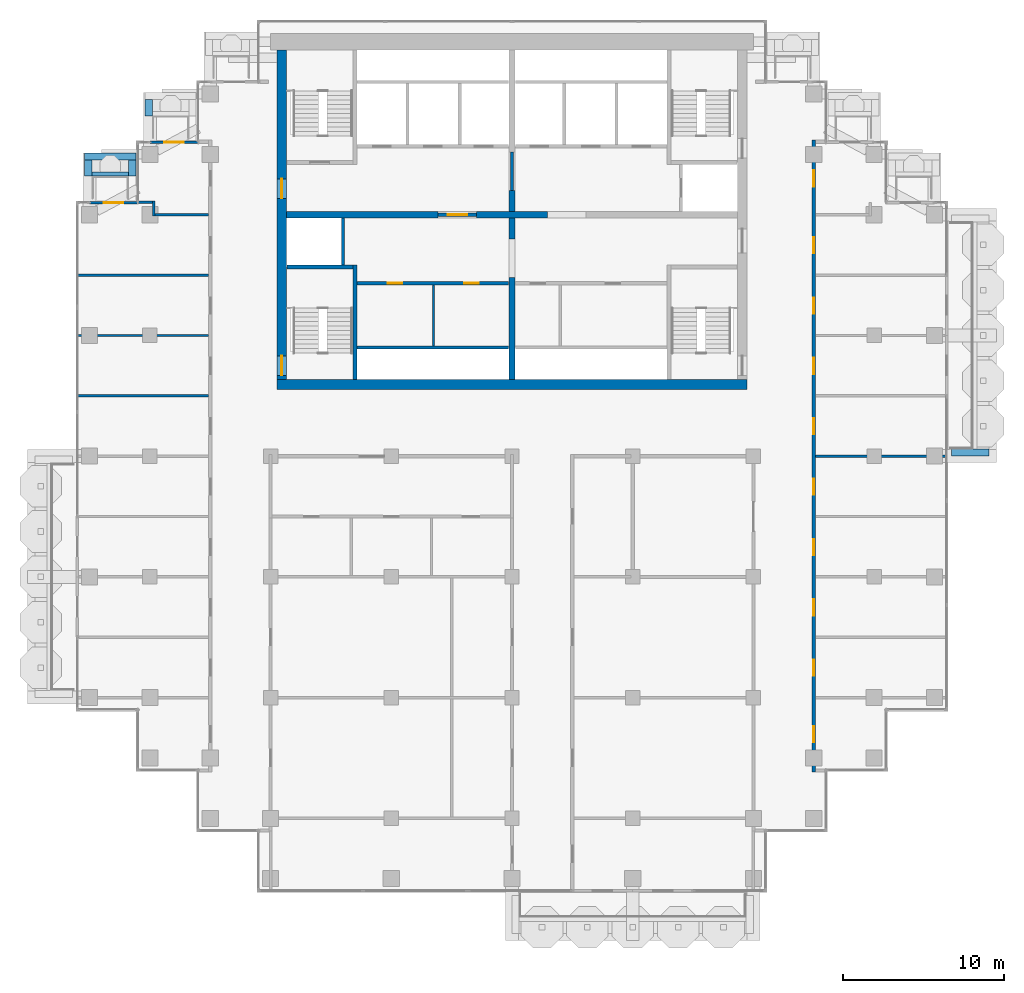
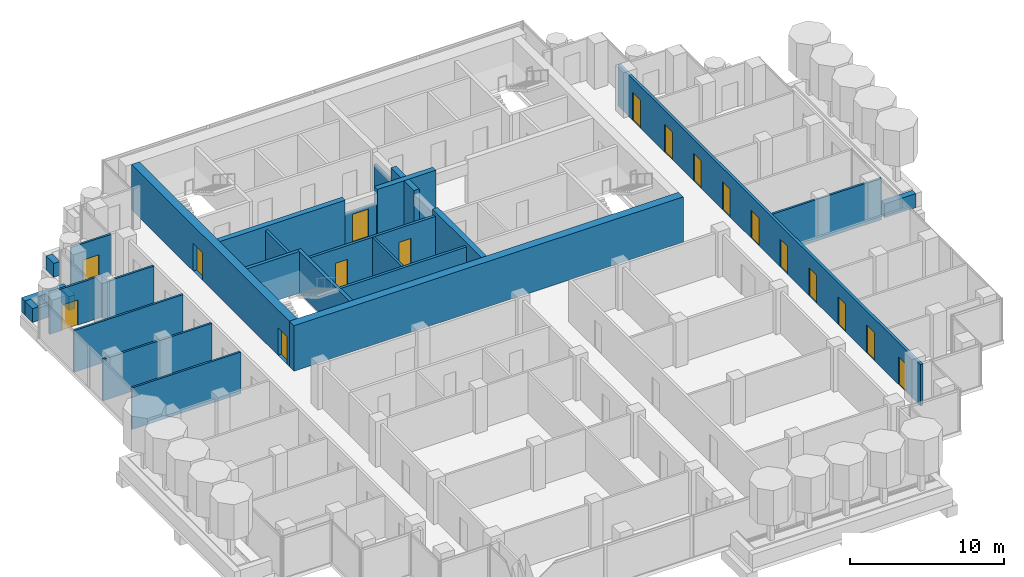
# One storey, part 13 of 19: 31 walls, 17 doors, 17 openings.
"""IFC4 building model written with IfcOpenShell, lengths in metres."""

import ifcopenshell
import ifcopenshell.guid

model = None  # the IFC model being written
_history = None  # IfcOwnerHistory: only IFC2X3 demands one
_inside = {}  # id of a spatial element -> (the spatial element, [elements in it])
_under = {}  # id of a project, library or spatial element -> (it, [spatial elements below it])
_declared = {}  # id of a project -> (the project, [libraries it declares])
_typed = {}  # id of a type object -> (the type object, [elements of that type])
_made_of = {}  # id of a material, layer set ... -> (it, [elements and type objects made of it])


def new_model(schema):
    """Start an empty IFC model of exactly this schema.

    Asked for "IFC4X3", IfcOpenShell would pick the latest addendum, in which some entities
    have other attributes; the version numbers below select the first issue.
    IFC2X3 requires an IfcOwnerHistory on every rooted entity: one is made here for all.
    """
    global model, _history
    if schema == "IFC4X3":
        model = ifcopenshell.file(schema_version=(4, 3, 0, 0))
    else:
        model = ifcopenshell.file(schema=schema)
    _inside.clear()
    _under.clear()
    _declared.clear()
    _typed.clear()
    _made_of.clear()
    _history = None
    if model.schema == "IFC2X3":
        org = make("IfcOrganization", Name="unknown")
        user = make(
            "IfcPersonAndOrganization",
            ThePerson=make("IfcPerson", FamilyName="unknown"),
            TheOrganization=org,
        )
        app = make(
            "IfcApplication",
            ApplicationDeveloper=org,
            Version="unknown",
            ApplicationFullName="unknown",
            ApplicationIdentifier="unknown",
        )
        _history = make(
            "IfcOwnerHistory",
            OwningUser=user,
            OwningApplication=app,
            ChangeAction="ADDED",
            CreationDate=0,
        )
    return model


def make(cls, **values):
    """One entity of the class cls with the attributes given. An attribute that is None is left unset."""
    return model.create_entity(
        cls, **{name: value for name, value in values.items() if value is not None}
    )


def rooted(cls, **values):
    """An entity with a GlobalId (a new one), such as an element, a storey or a relation."""
    return make(cls, GlobalId=ifcopenshell.guid.new(), OwnerHistory=_history, **values)


def si_unit(unit_type, name, prefix=None):
    """IfcSIUnit, for example si_unit("LENGTHUNIT", "METRE", prefix="MILLI")."""
    return make("IfcSIUnit", UnitType=unit_type, Prefix=prefix, Name=name)


def assignment(units):
    """IfcUnitAssignment: the units of a project."""
    return None if units is None else make("IfcUnitAssignment", Units=units)


def point(xyz):
    """IfcCartesianPoint."""
    return None if xyz is None else make("IfcCartesianPoint", Coordinates=xyz)


def direction(xyz):
    """IfcDirection."""
    return None if xyz is None else make("IfcDirection", DirectionRatios=xyz)


def frame(location, z_axis=None, x_axis=None):
    """IfcAxis2Placement3D, a coordinate frame: its origin and axes. An axis left out is left unset."""
    return make(
        "IfcAxis2Placement3D",
        Location=point(location),
        Axis=direction(z_axis),
        RefDirection=direction(x_axis),
    )


def frame_2d(location, x_axis=None):
    """IfcAxis2Placement2D, a coordinate frame in the plane: its origin and x axis."""
    return make(
        "IfcAxis2Placement2D", Location=point(location), RefDirection=direction(x_axis)
    )


def origin():
    """The frame at (0, 0, 0) with its axes left unset."""
    return frame((0.0, 0.0, 0.0))


def place(relative_to, where):
    """IfcLocalPlacement: puts the frame where relative to a parent placement (None: the world)."""
    return make(
        "IfcLocalPlacement", PlacementRelTo=relative_to, RelativePlacement=where
    )


def context(
    kind, dimensions, precision=None, world=None, true_north=None, identifier=None
):
    """IfcGeometricRepresentationContext, for example the 3D "Model" context."""
    return make(
        "IfcGeometricRepresentationContext",
        ContextIdentifier=identifier,
        ContextType=kind,
        CoordinateSpaceDimension=dimensions,
        Precision=precision,
        WorldCoordinateSystem=world,
        TrueNorth=true_north,
    )


def subcontext(parent, identifier, kind, view, scale=None):
    """IfcGeometricRepresentationSubContext, for example "Body" below "Model"."""
    return make(
        "IfcGeometricRepresentationSubContext",
        ContextIdentifier=identifier,
        ContextType=kind,
        ParentContext=parent,
        TargetScale=scale,
        TargetView=view,
    )


def project(units=None, contexts=None):
    """IfcProject with its units and contexts."""
    return rooted(
        "IfcProject",
        Name="project",
        RepresentationContexts=contexts,
        UnitsInContext=assignment(units),
    )


def spatial(cls, under=None, at=None, **own):
    """A site, building, storey or space (cls), placed at a placement, below another one or the project."""
    s = rooted(cls, ObjectPlacement=at, **own)
    if under is not None:
        _under.setdefault(under.id(), (under, []))[1].append(s)
    return s


def profile(cls, at=None, kind="AREA", **sizes):
    """A parametric profile (cls). Its sizes go by their IFC names, for example OverallWidth=200.0."""
    return make(cls, ProfileType=kind, Position=at, **sizes)


def rectangle(**sizes):
    """IfcRectangleProfileDef."""
    return profile("IfcRectangleProfileDef", **sizes)


def extrude(swept, where, along, depth):
    """IfcExtrudedAreaSolid: the profile swept, set in the frame where, extruded along a direction by depth."""
    return make(
        "IfcExtrudedAreaSolid",
        SweptArea=swept,
        Position=where,
        ExtrudedDirection=direction(along),
        Depth=depth,
    )


def shape(context_of_items, identifier, shape_type, items):
    """IfcShapeRepresentation: the items that make up one representation, for example the "Body"."""
    return make(
        "IfcShapeRepresentation",
        ContextOfItems=context_of_items,
        RepresentationIdentifier=identifier,
        RepresentationType=shape_type,
        Items=items,
    )


def material(Name=None, Category=None):
    """IfcMaterial."""
    return make("IfcMaterial", Name=Name, Category=Category)


def layer(
    of_material, thickness, ventilated=None, Name=None, Category=None, Priority=None
):
    """IfcMaterialLayer: one layer of a wall or slab, of a material (None: an air gap)."""
    return make(
        "IfcMaterialLayer",
        Material=of_material,
        LayerThickness=thickness,
        IsVentilated=ventilated,
        Name=Name,
        Category=Category,
        Priority=Priority,
    )


def layer_set(layers, Name=None):
    """IfcMaterialLayerSet."""
    return make("IfcMaterialLayerSet", MaterialLayers=layers, LayerSetName=Name)


def made_of(thing, what):
    """Note that an element or type object is made of a material, layer set ...; save() writes the relation."""
    if what is not None:
        _made_of.setdefault(what.id(), (what, []))[1].append(thing)
    return thing


def type_object(cls, material=None, **own):
    """A type object (cls), such as IfcWallType, which elements share."""
    return made_of(rooted(cls, **own), material)


def element(
    cls,
    number,
    at=None,
    inside=None,
    cuts=None,
    type_object=None,
    material=None,
    context=None,
    identifier="Body",
    shape_type=None,
    held_by="IfcProductDefinitionShape",
    body=None,
    shapes=None,
    **own,
):
    """One element of the class cls, such as IfcWall. Its Tag is "e" and its number.

    at: its placement. inside: the storey or other place that contains it. cuts: it is an
    opening in that element (IfcRelVoidsElement). A single representation is given by context,
    identifier, shape_type and body (its items); several are given by shapes. held_by: the class
    of the entity that holds the representations. save() writes the other relations.
    """
    e = rooted(cls, Tag="e%d" % number, ObjectPlacement=at, **own)
    if body is not None:
        shapes = [shape(context, identifier, shape_type, body)]
    if shapes is not None:
        e.Representation = make(held_by, Representations=shapes)
    if inside is not None:
        _inside.setdefault(inside.id(), (inside, []))[1].append(e)
    if cuts is not None:
        rooted(
            "IfcRelVoidsElement", RelatingBuildingElement=cuts, RelatedOpeningElement=e
        )
    if type_object is not None:
        _typed.setdefault(type_object.id(), (type_object, []))[1].append(e)
    return made_of(e, material)


def fill(opening, filler):
    """IfcRelFillsElement: the door or window that sits in an opening."""
    return rooted(
        "IfcRelFillsElement",
        RelatingOpeningElement=opening,
        RelatedBuildingElement=filler,
    )


def aggregate(whole, parts):
    """IfcRelAggregates: a whole, such as a stair, and the parts it consists of."""
    return rooted("IfcRelAggregates", RelatingObject=whole, RelatedObjects=parts)


def save(model, path):
    """Write the relations noted so far, then the file.

    IfcRelAggregates (storeys below a building ...), IfcRelContainedInSpatialStructure (elements
    in a storey), IfcRelDefinesByType, IfcRelAssociatesMaterial and IfcRelDeclares: one each for
    every whole, place, type object, material and project.
    """
    for whole, parts in _under.values():
        aggregate(whole, parts)
    for where, things in _inside.values():
        rooted(
            "IfcRelContainedInSpatialStructure",
            RelatedElements=things,
            RelatingStructure=where,
        )
    for kind, things in _typed.values():
        rooted("IfcRelDefinesByType", RelatedObjects=things, RelatingType=kind)
    for what, things in _made_of.values():
        rooted("IfcRelAssociatesMaterial", RelatedObjects=things, RelatingMaterial=what)
    for by, libraries in _declared.values():
        rooted("IfcRelDeclares", RelatingContext=by, RelatedDefinitions=libraries)
    model.write(path)


model = new_model("IFC4")

# Units and contexts
model_context = context("Model", 3, precision=1e-05, world=origin(), true_north=direction((0.0, 1.0)))
body_context = subcontext(model_context, "Body", "Model", "MODEL_VIEW")
ifc_project = project(units=[si_unit("LENGTHUNIT", "METRE"), si_unit("AREAUNIT", "SQUARE_METRE"), si_unit("VOLUMEUNIT", "CUBIC_METRE"), si_unit("PLANEANGLEUNIT", "RADIAN"), si_unit("MASSUNIT", "GRAM", prefix="KILO")], contexts=[model_context])

# Site, building, storey
site_placement = place(None, origin())
site = spatial("IfcSite", under=ifc_project, at=site_placement, CompositionType="ELEMENT")
building_placement = place(site_placement, origin())
building = spatial("IfcBuilding", under=site, at=building_placement, Name="Pilkhan Gate Tower", CompositionType="ELEMENT")
storey_placement = place(building_placement, frame((0.0, 0.0, 224.699951171875)))
storey = spatial("IfcBuildingStorey", under=building, at=storey_placement, Name="L58", CompositionType="ELEMENT", Elevation=224.699951171875)

# Walls
ifc_material_1 = material(Name="Concrete C40/50", Category="concrete")
ifc_layer_1 = layer(ifc_material_1, 0.25)
ifc_layer_set_1 = layer_set([ifc_layer_1], Name="Balcony planter BP250")
wall_type_1 = type_object("IfcWallType", Name="Balcony planter BP250", PredefinedType="USERDEFINED", material=ifc_layer_set_1)
wall_1_placement = place(storey_placement, frame((48.89990234375, 85.02490234375, 0.0), z_axis=(0.0, 0.0, 1.0), x_axis=(1.0, 0.0, 0.0)))
element("IfcWall", 1, at=wall_1_placement, inside=storey, type_object=wall_type_1, Name="Balcony planter L58 N", ObjectType="BALCONY PLANTER", PredefinedType="USERDEFINED", context=body_context, shape_type="SweptSolid", body=[
    extrude(rectangle(XDim=2.280029296875, YDim=0.25, at=frame_2d((1.14013671875, 0.0))), origin(), (0.0, 0.0, 1.0), 1.0),
])
ifc_material_2 = material(Name="Board-marked Concrete C40/50", Category="concrete")
ifc_layer_2 = layer(ifc_material_2, 0.449951171875)
ifc_layer_set_2 = layer_set([ifc_layer_2], Name="Balcony planter lip BL450")
wall_type_2 = type_object("IfcWallType", Name="Balcony planter lip BL450", PredefinedType="USERDEFINED", material=ifc_layer_set_2)
wall_2_placement = place(storey_placement, frame((102.300048828125, 67.72509765625, 0.0), z_axis=(0.0, 0.0, 1.0), x_axis=(1.0, 0.0, 0.0)))
element("IfcWall", 2, at=wall_2_placement, inside=storey, type_object=wall_type_2, Name="Balcony planter L58 E", ObjectType="BALCONY PLANTER", PredefinedType="USERDEFINED", context=body_context, shape_type="SweptSolid", body=[
    extrude(rectangle(XDim=2.349853515625, YDim=0.449951171875, at=frame_2d((1.1748046875, 0.0))), origin(), (0.0, 0.0, 1.0), 1.10009765625),
])
wall_3_placement = place(storey_placement, frame((52.425048828125, 88.64990234375, 0.0), z_axis=(0.0, 0.0, 1.0), x_axis=(0.0, 1.0, 0.0)))
element("IfcWall", 3, at=wall_3_placement, inside=storey, type_object=wall_type_2, Name="Balcony planter L58 N", ObjectType="BALCONY PLANTER", PredefinedType="USERDEFINED", context=body_context, shape_type="SweptSolid", body=[
    extrude(rectangle(XDim=1.0, YDim=0.449951171875, at=frame_2d((0.5, 0.0))), origin(), (0.0, 0.0, 1.0), 1.10009765625),
])
wall_4_placement = place(storey_placement, frame((48.449951171875, 86.125, 0.0), z_axis=(0.0, 0.0, 1.0), x_axis=(1.0, 0.0, 0.0)))
element("IfcWall", 4, at=wall_4_placement, inside=storey, type_object=wall_type_2, Name="Balcony planter L58 N", ObjectType="BALCONY PLANTER", PredefinedType="USERDEFINED", context=body_context, shape_type="SweptSolid", body=[
    extrude(rectangle(XDim=3.179931640625, YDim=0.449951171875, at=frame_2d((1.58984375, 0.0))), origin(), (0.0, 0.0, 1.0), 1.10009765625),
])
for number, where, z_axis, x_axis, name in (
    (5, (48.675048828125, 84.89990234375, 0.0), (0.0, 0.0, 1.0), (0.0, 1.0, 0.0), "Balcony planter L58 N"),
    (6, (51.405029296875, 84.89990234375, 0.0), (0.0, 0.0, 1.0), (0.0, 1.0, 0.0), "Balcony planter L58 N"),
):
    element("IfcWall", number, at=place(storey_placement, frame(where, z_axis=z_axis, x_axis=x_axis)), inside=storey, type_object=wall_type_2, Name=name, ObjectType="BALCONY PLANTER", PredefinedType="USERDEFINED", context=body_context, shape_type="SweptSolid", body=[
        extrude(rectangle(XDim=1.0, YDim=0.449951171875, at=frame_2d((0.5, 0.0))), origin(), (0.0, 0.0, 1.0), 1.10009765625),
    ])
ifc_material_3 = material(Name="Concrete C50/60", Category="concrete")
ifc_layer_3 = layer(ifc_material_3, 0.60009765625)
ifc_layer_set_3 = layer_set([ifc_layer_3], Name="Core wall CW600 C50/60")
wall_type_3 = type_object("IfcWallType", Name="Core wall CW600 C50/60", PredefinedType="SHEAR", material=ifc_layer_set_3)
wall_5_placement = place(storey_placement, frame((60.39990234375, 71.949951171875, 0.0), z_axis=(0.0, 0.0, 1.0), x_axis=(1.0, 0.0, 0.0)))
element("IfcWall", 7, at=wall_5_placement, inside=storey, type_object=wall_type_3, Name="Core wall S L58", PredefinedType="SHEAR", context=body_context, shape_type="SweptSolid", body=[
    extrude(rectangle(XDim=29.2001953125, YDim=0.60009765625, at=frame_2d((14.60009765625, 0.0))), origin(), (0.0, 0.0, 1.0), 3.60009765625),
])

# Wall, openings, doors
wall_6_placement = place(storey_placement, frame((60.699951171875, 92.75, 0.0), z_axis=(0.0, 0.0, 1.0), x_axis=(0.0, -1.0, 0.0)))
wall_6 = element("IfcWall", 8, at=wall_6_placement, inside=storey, type_object=wall_type_3, Name="Core wall W L58", PredefinedType="SHEAR", context=body_context, shape_type="SweptSolid", body=[
    extrude(rectangle(XDim=20.5, YDim=0.60009765625, at=frame_2d((10.25, 0.0))), origin(), (0.0, 0.0, 1.0), 3.60009765625),
])
opening_1_placement = place(wall_6_placement, frame((19.02490234375, 0.0, 0.0)))
opening_1 = element("IfcOpeningElement", 9, at=opening_1_placement, cuts=wall_6, Name="Opening L58-04", PredefinedType="OPENING", context=body_context, shape_type="SweptSolid", body=[
    extrude(rectangle(XDim=1.199951171875, YDim=2.199951171875, at=frame_2d((0.60009765625, 1.10009765625))), frame((0.0, 0.31005859375, 0.0), z_axis=(0.0, -1.0, 0.0), x_axis=(1.0, 0.0, 0.0)), (0.0, 0.0, 1.0), 0.6201171875),
])
opening_2_placement = place(wall_6_placement, frame((8.02490234375, 0.0, 0.0)))
opening_2 = element("IfcOpeningElement", 10, at=opening_2_placement, cuts=wall_6, Name="Opening L58-07", PredefinedType="OPENING", context=body_context, shape_type="SweptSolid", body=[
    extrude(rectangle(XDim=1.199951171875, YDim=2.199951171875, at=frame_2d((0.60009765625, 1.10009765625))), frame((0.0, 0.31005859375, 0.0), z_axis=(0.0, -1.0, 0.0), x_axis=(1.0, 0.0, 0.0)), (0.0, 0.0, 1.0), 0.6201171875),
])
ifc_material_4 = material(Name="Steel door, 120 minute fire resisting, self-closing", Category="steel")
door_type_1 = type_object("IfcDoorType", Name="Firefighting lobby door D10 1200x2200", OperationType="SINGLE_SWING_LEFT", PredefinedType="DOOR", material=ifc_material_4)
door_1_placement = place(opening_2_placement, origin())
door_1 = element("IfcDoor", 11, at=door_1_placement, inside=storey, type_object=door_type_1, Name="Core door", OperationType="SINGLE_SWING_LEFT", OverallHeight=2.199951171875, OverallWidth=1.199951171875, PredefinedType="DOOR", context=body_context, shape_type="SweptSolid", body=[
    extrude(rectangle(XDim=1.199951171875, YDim=2.199951171875, at=frame_2d((0.60009765625, 1.10009765625))), frame((0.0, 0.02490234375, 0.0), z_axis=(0.0, -1.0, 0.0), x_axis=(1.0, 0.0, 0.0)), (0.0, 0.0, 1.0), 0.050048828125),
])
fill(opening_2, door_1)
ifc_material_5 = material(Name="Steel door, 120 minute fire resisting, panic bar", Category="steel")
door_type_2 = type_object("IfcDoorType", Name="Stair door D11 1200x2200", OperationType="SINGLE_SWING_LEFT", PredefinedType="DOOR", material=ifc_material_5)
door_2_placement = place(opening_1_placement, origin())
door_2 = element("IfcDoor", 12, at=door_2_placement, inside=storey, type_object=door_type_2, Name="Stair ST2 door", OperationType="SINGLE_SWING_LEFT", OverallHeight=2.199951171875, OverallWidth=1.199951171875, PredefinedType="DOOR", context=body_context, shape_type="SweptSolid", body=[
    extrude(rectangle(XDim=1.199951171875, YDim=2.199951171875, at=frame_2d((0.60009765625, 1.10009765625))), frame((0.0, 0.02490234375, 0.0), z_axis=(0.0, -1.0, 0.0), x_axis=(1.0, 0.0, 0.0)), (0.0, 0.0, 1.0), 0.050048828125),
])
fill(opening_1, door_2)

ifc_material_6 = material(Name="Dense blockwork", Category="masonry")
ifc_layer_4 = layer(ifc_material_6, 0.199951171875)
ifc_layer_set_4 = layer_set([ifc_layer_4], Name="Corridor wall FW200")
wall_type_4 = type_object("IfcWallType", Name="Corridor wall FW200", PredefinedType="PARTITIONING", material=ifc_layer_set_4)
wall_7_placement = place(storey_placement, frame((93.75, 47.8701171875, 0.0), z_axis=(0.0, 0.0, 1.0), x_axis=(0.0, 1.0, 0.0)))
wall_7 = element("IfcWall", 13, at=wall_7_placement, inside=storey, type_object=wall_type_4, Name="Partition L58", PredefinedType="PARTITIONING", context=body_context, shape_type="SweptSolid", body=[
    extrude(rectangle(XDim=39.259765625, YDim=0.199951171875, at=frame_2d((19.6298828125, 0.0))), origin(), (0.0, 0.0, 1.0), 3.300048828125),
])
opening_3_placement = place(wall_7_placement, frame((1.85009765625, 0.0, 0.0)))
opening_3 = element("IfcOpeningElement", 14, at=opening_3_placement, cuts=wall_7, Name="Opening L58-33", PredefinedType="OPENING", context=body_context, shape_type="SweptSolid", body=[
    extrude(rectangle(XDim=1.0, YDim=2.199951171875, at=frame_2d((0.5, 1.10009765625))), frame((0.0, 0.10986328125, 0.0), z_axis=(0.0, -1.0, 0.0), x_axis=(1.0, 0.0, 0.0)), (0.0, 0.0, 1.0), 0.219970703125),
])
opening_4_placement = place(wall_7_placement, frame((5.97998046875, 0.0, 0.0)))
opening_4 = element("IfcOpeningElement", 15, at=opening_4_placement, cuts=wall_7, Name="Opening L58-34", PredefinedType="OPENING", context=body_context, shape_type="SweptSolid", body=[
    extrude(rectangle(XDim=1.0, YDim=2.199951171875, at=frame_2d((0.5, 1.10009765625))), frame((0.0, 0.10986328125, 0.0), z_axis=(0.0, -1.0, 0.0), x_axis=(1.0, 0.0, 0.0)), (0.0, 0.0, 1.0), 0.219970703125),
])
opening_5_placement = place(wall_7_placement, frame((9.72998046875, 0.0, 0.0)))
opening_5 = element("IfcOpeningElement", 16, at=opening_5_placement, cuts=wall_7, Name="Opening L58-35", PredefinedType="OPENING", context=body_context, shape_type="SweptSolid", body=[
    extrude(rectangle(XDim=1.0, YDim=2.199951171875, at=frame_2d((0.5, 1.10009765625))), frame((0.0, 0.10986328125, 0.0), z_axis=(0.0, -1.0, 0.0), x_axis=(1.0, 0.0, 0.0)), (0.0, 0.0, 1.0), 0.219970703125),
])
opening_6_placement = place(wall_7_placement, frame((13.47998046875, 0.0, 0.0)))
opening_6 = element("IfcOpeningElement", 17, at=opening_6_placement, cuts=wall_7, Name="Opening L58-36", PredefinedType="OPENING", context=body_context, shape_type="SweptSolid", body=[
    extrude(rectangle(XDim=1.0, YDim=2.199951171875, at=frame_2d((0.5, 1.10009765625))), frame((0.0, 0.10986328125, 0.0), z_axis=(0.0, -1.0, 0.0), x_axis=(1.0, 0.0, 0.0)), (0.0, 0.0, 1.0), 0.219970703125),
])
opening_7_placement = place(wall_7_placement, frame((17.22998046875, 0.0, 0.0)))
opening_7 = element("IfcOpeningElement", 18, at=opening_7_placement, cuts=wall_7, Name="Opening L58-37", PredefinedType="OPENING", context=body_context, shape_type="SweptSolid", body=[
    extrude(rectangle(XDim=1.0, YDim=2.199951171875, at=frame_2d((0.5, 1.10009765625))), frame((0.0, 0.10986328125, 0.0), z_axis=(0.0, -1.0, 0.0), x_axis=(1.0, 0.0, 0.0)), (0.0, 0.0, 1.0), 0.219970703125),
])
opening_8_placement = place(wall_7_placement, frame((20.97998046875, 0.0, 0.0)))
opening_8 = element("IfcOpeningElement", 19, at=opening_8_placement, cuts=wall_7, Name="Opening L58-38", PredefinedType="OPENING", context=body_context, shape_type="SweptSolid", body=[
    extrude(rectangle(XDim=1.0, YDim=2.199951171875, at=frame_2d((0.5, 1.10009765625))), frame((0.0, 0.10986328125, 0.0), z_axis=(0.0, -1.0, 0.0), x_axis=(1.0, 0.0, 0.0)), (0.0, 0.0, 1.0), 0.219970703125),
])
opening_9_placement = place(wall_7_placement, frame((24.72998046875, 0.0, 0.0)))
opening_9 = element("IfcOpeningElement", 20, at=opening_9_placement, cuts=wall_7, Name="Opening L58-39", PredefinedType="OPENING", context=body_context, shape_type="SweptSolid", body=[
    extrude(rectangle(XDim=1.0, YDim=2.199951171875, at=frame_2d((0.5, 1.10009765625))), frame((0.0, 0.10986328125, 0.0), z_axis=(0.0, -1.0, 0.0), x_axis=(1.0, 0.0, 0.0)), (0.0, 0.0, 1.0), 0.219970703125),
])
opening_10_placement = place(wall_7_placement, frame((28.47998046875, 0.0, 0.0)))
opening_10 = element("IfcOpeningElement", 21, at=opening_10_placement, cuts=wall_7, Name="Opening L58-43", PredefinedType="OPENING", context=body_context, shape_type="SweptSolid", body=[
    extrude(rectangle(XDim=1.0, YDim=2.199951171875, at=frame_2d((0.5, 1.10009765625))), frame((0.0, 0.10986328125, 0.0), z_axis=(0.0, -1.0, 0.0), x_axis=(1.0, 0.0, 0.0)), (0.0, 0.0, 1.0), 0.219970703125),
])
opening_11_placement = place(wall_7_placement, frame((32.22998046875, 0.0, 0.0)))
opening_11 = element("IfcOpeningElement", 22, at=opening_11_placement, cuts=wall_7, Name="Opening L58-44", PredefinedType="OPENING", context=body_context, shape_type="SweptSolid", body=[
    extrude(rectangle(XDim=1.0, YDim=2.199951171875, at=frame_2d((0.5, 1.10009765625))), frame((0.0, 0.10986328125, 0.0), z_axis=(0.0, -1.0, 0.0), x_axis=(1.0, 0.0, 0.0)), (0.0, 0.0, 1.0), 0.219970703125),
])
opening_12_placement = place(wall_7_placement, frame((36.3798828125, 0.0, 0.0)))
opening_12 = element("IfcOpeningElement", 23, at=opening_12_placement, cuts=wall_7, Name="Opening L58-45", PredefinedType="OPENING", context=body_context, shape_type="SweptSolid", body=[
    extrude(rectangle(XDim=1.0, YDim=2.199951171875, at=frame_2d((0.5, 1.10009765625))), frame((0.0, 0.10986328125, 0.0), z_axis=(0.0, -1.0, 0.0), x_axis=(1.0, 0.0, 0.0)), (0.0, 0.0, 1.0), 0.219970703125),
])
ifc_material_7 = material(Name="Timber flush door, 30 minute fire resisting", Category="wood")
door_type_3 = type_object("IfcDoorType", Name="Room door D03 1000x2200", OperationType="SINGLE_SWING_LEFT", PredefinedType="DOOR", material=ifc_material_7)
door_3_placement = place(opening_3_placement, origin())
door_3 = element("IfcDoor", 24, at=door_3_placement, inside=storey, type_object=door_type_3, Name="Room door", OperationType="SINGLE_SWING_RIGHT", OverallHeight=2.199951171875, OverallWidth=1.0, PredefinedType="DOOR", context=body_context, shape_type="SweptSolid", body=[
    extrude(rectangle(XDim=1.0, YDim=2.199951171875, at=frame_2d((0.5, 1.10009765625))), frame((0.0, 0.02490234375, 0.0), z_axis=(0.0, -1.0, 0.0), x_axis=(1.0, 0.0, 0.0)), (0.0, 0.0, 1.0), 0.050048828125),
])
fill(opening_3, door_3)
door_4_placement = place(opening_4_placement, origin())
door_4 = element("IfcDoor", 25, at=door_4_placement, inside=storey, type_object=door_type_3, Name="Room door", OperationType="SINGLE_SWING_RIGHT", OverallHeight=2.199951171875, OverallWidth=1.0, PredefinedType="DOOR", context=body_context, shape_type="SweptSolid", body=[
    extrude(rectangle(XDim=1.0, YDim=2.199951171875, at=frame_2d((0.5, 1.10009765625))), frame((0.0, 0.02490234375, 0.0), z_axis=(0.0, -1.0, 0.0), x_axis=(1.0, 0.0, 0.0)), (0.0, 0.0, 1.0), 0.050048828125),
])
fill(opening_4, door_4)
door_5_placement = place(opening_5_placement, origin())
door_5 = element("IfcDoor", 26, at=door_5_placement, inside=storey, type_object=door_type_3, Name="Room door", OperationType="SINGLE_SWING_LEFT", OverallHeight=2.199951171875, OverallWidth=1.0, PredefinedType="DOOR", context=body_context, shape_type="SweptSolid", body=[
    extrude(rectangle(XDim=1.0, YDim=2.199951171875, at=frame_2d((0.5, 1.10009765625))), frame((0.0, 0.02490234375, 0.0), z_axis=(0.0, -1.0, 0.0), x_axis=(1.0, 0.0, 0.0)), (0.0, 0.0, 1.0), 0.050048828125),
])
fill(opening_5, door_5)
door_6_placement = place(opening_6_placement, origin())
door_6 = element("IfcDoor", 27, at=door_6_placement, inside=storey, type_object=door_type_3, Name="Room door", OperationType="SINGLE_SWING_LEFT", OverallHeight=2.199951171875, OverallWidth=1.0, PredefinedType="DOOR", context=body_context, shape_type="SweptSolid", body=[
    extrude(rectangle(XDim=1.0, YDim=2.199951171875, at=frame_2d((0.5, 1.10009765625))), frame((0.0, 0.02490234375, 0.0), z_axis=(0.0, -1.0, 0.0), x_axis=(1.0, 0.0, 0.0)), (0.0, 0.0, 1.0), 0.050048828125),
])
fill(opening_6, door_6)
door_7_placement = place(opening_7_placement, origin())
door_7 = element("IfcDoor", 28, at=door_7_placement, inside=storey, type_object=door_type_3, Name="Room door", OperationType="SINGLE_SWING_RIGHT", OverallHeight=2.199951171875, OverallWidth=1.0, PredefinedType="DOOR", context=body_context, shape_type="SweptSolid", body=[
    extrude(rectangle(XDim=1.0, YDim=2.199951171875, at=frame_2d((0.5, 1.10009765625))), frame((0.0, 0.02490234375, 0.0), z_axis=(0.0, -1.0, 0.0), x_axis=(1.0, 0.0, 0.0)), (0.0, 0.0, 1.0), 0.050048828125),
])
fill(opening_7, door_7)
door_8_placement = place(opening_8_placement, origin())
door_8 = element("IfcDoor", 29, at=door_8_placement, inside=storey, type_object=door_type_3, Name="Room door", OperationType="SINGLE_SWING_LEFT", OverallHeight=2.199951171875, OverallWidth=1.0, PredefinedType="DOOR", context=body_context, shape_type="SweptSolid", body=[
    extrude(rectangle(XDim=1.0, YDim=2.199951171875, at=frame_2d((0.5, 1.10009765625))), frame((0.0, 0.02490234375, 0.0), z_axis=(0.0, -1.0, 0.0), x_axis=(1.0, 0.0, 0.0)), (0.0, 0.0, 1.0), 0.050048828125),
])
fill(opening_8, door_8)
door_9_placement = place(opening_9_placement, origin())
door_9 = element("IfcDoor", 30, at=door_9_placement, inside=storey, type_object=door_type_3, Name="Room door", OperationType="SINGLE_SWING_RIGHT", OverallHeight=2.199951171875, OverallWidth=1.0, PredefinedType="DOOR", context=body_context, shape_type="SweptSolid", body=[
    extrude(rectangle(XDim=1.0, YDim=2.199951171875, at=frame_2d((0.5, 1.10009765625))), frame((0.0, 0.02490234375, 0.0), z_axis=(0.0, -1.0, 0.0), x_axis=(1.0, 0.0, 0.0)), (0.0, 0.0, 1.0), 0.050048828125),
])
fill(opening_9, door_9)
door_10_placement = place(opening_10_placement, origin())
door_10 = element("IfcDoor", 31, at=door_10_placement, inside=storey, type_object=door_type_3, Name="Room door", OperationType="SINGLE_SWING_LEFT", OverallHeight=2.199951171875, OverallWidth=1.0, PredefinedType="DOOR", context=body_context, shape_type="SweptSolid", body=[
    extrude(rectangle(XDim=1.0, YDim=2.199951171875, at=frame_2d((0.5, 1.10009765625))), frame((0.0, 0.02490234375, 0.0), z_axis=(0.0, -1.0, 0.0), x_axis=(1.0, 0.0, 0.0)), (0.0, 0.0, 1.0), 0.050048828125),
])
fill(opening_10, door_10)
door_11_placement = place(opening_11_placement, origin())
door_11 = element("IfcDoor", 32, at=door_11_placement, inside=storey, type_object=door_type_3, Name="Room door", OperationType="SINGLE_SWING_RIGHT", OverallHeight=2.199951171875, OverallWidth=1.0, PredefinedType="DOOR", context=body_context, shape_type="SweptSolid", body=[
    extrude(rectangle(XDim=1.0, YDim=2.199951171875, at=frame_2d((0.5, 1.10009765625))), frame((0.0, 0.02490234375, 0.0), z_axis=(0.0, -1.0, 0.0), x_axis=(1.0, 0.0, 0.0)), (0.0, 0.0, 1.0), 0.050048828125),
])
fill(opening_11, door_11)
door_12_placement = place(opening_12_placement, origin())
door_12 = element("IfcDoor", 33, at=door_12_placement, inside=storey, type_object=door_type_3, Name="Room door", OperationType="SINGLE_SWING_LEFT", OverallHeight=2.199951171875, OverallWidth=1.0, PredefinedType="DOOR", context=body_context, shape_type="SweptSolid", body=[
    extrude(rectangle(XDim=1.0, YDim=2.199951171875, at=frame_2d((0.5, 1.10009765625))), frame((0.0, 0.02490234375, 0.0), z_axis=(0.0, -1.0, 0.0), x_axis=(1.0, 0.0, 0.0)), (0.0, 0.0, 1.0), 0.050048828125),
])
fill(opening_12, door_12)

# Wall, opening, door
ifc_material_8 = material(Name="Pale anodised aluminium, clear laminated glazing", Category="aluminium")
ifc_layer_5 = layer(ifc_material_8, 0.14990234375)
ifc_layer_set_5 = layer_set([ifc_layer_5], Name="Facade infill wall IW150")
wall_type_5 = type_object("IfcWallType", Name="Facade infill wall IW150", PredefinedType="SOLIDWALL", material=ifc_layer_set_5)
wall_8_placement = place(storey_placement, frame((52.5, 87.0, 0.0), z_axis=(0.0, 0.0, 1.0), x_axis=(1.0, 0.0, 0.0)))
wall_8 = element("IfcWall", 34, at=wall_8_placement, inside=storey, type_object=wall_type_5, Name="Infill wall L58 N", PredefinedType="SOLIDWALL", context=body_context, shape_type="SweptSolid", body=[
    extrude(rectangle(XDim=3.0, YDim=0.14990234375, at=frame_2d((1.5, 0.0))), origin(), (0.0, 0.0, 1.0), 3.300048828125),
])
opening_13_placement = place(wall_8_placement, frame((0.89990234375, 0.0, 0.0)))
opening_13 = element("IfcOpeningElement", 35, at=opening_13_placement, cuts=wall_8, Name="Opening D1L", PredefinedType="OPENING", context=body_context, shape_type="SweptSolid", body=[
    extrude(rectangle(XDim=1.199951171875, YDim=2.0, at=frame_2d((0.60009765625, 1.0))), frame((0.0, 0.0849609375, 0.0), z_axis=(0.0, -1.0, 0.0), x_axis=(1.0, 0.0, 0.0)), (0.0, 0.0, 1.0), 0.169921875),
])
ifc_material_9 = material(Name="Pale anodised aluminium, clear glazing", Category="aluminium")
door_type_4 = type_object("IfcDoorType", Name="Balcony door D1L 1200x2000", OperationType="SINGLE_SWING_LEFT", PredefinedType="DOOR", material=ifc_material_9)
door_13_placement = place(opening_13_placement, origin())
door_13 = element("IfcDoor", 36, at=door_13_placement, inside=storey, type_object=door_type_4, Name="Balcony door L58", OperationType="SINGLE_SWING_LEFT", OverallHeight=2.0, OverallWidth=1.199951171875, PredefinedType="DOOR", context=body_context, shape_type="SweptSolid", body=[
    extrude(rectangle(XDim=1.199951171875, YDim=2.0, at=frame_2d((0.60009765625, 1.0))), frame((0.0, 0.02490234375, 0.0), z_axis=(0.0, -1.0, 0.0), x_axis=(1.0, 0.0, 0.0)), (0.0, 0.0, 1.0), 0.050048828125),
])
fill(opening_13, door_13)

wall_9_placement = place(storey_placement, frame((48.75, 83.25, 0.0), z_axis=(0.0, 0.0, 1.0), x_axis=(1.0, 0.0, 0.0)))
wall_9 = element("IfcWall", 37, at=wall_9_placement, inside=storey, type_object=wall_type_5, Name="Infill wall L58 N", PredefinedType="SOLIDWALL", context=body_context, shape_type="SweptSolid", body=[
    extrude(rectangle(XDim=3.0, YDim=0.14990234375, at=frame_2d((1.5, 0.0))), origin(), (0.0, 0.0, 1.0), 3.300048828125),
])
opening_14_placement = place(wall_9_placement, frame((0.89990234375, 0.0, 0.0)))
opening_14 = element("IfcOpeningElement", 38, at=opening_14_placement, cuts=wall_9, Name="Opening D1L", PredefinedType="OPENING", context=body_context, shape_type="SweptSolid", body=[
    extrude(rectangle(XDim=1.199951171875, YDim=2.0, at=frame_2d((0.60009765625, 1.0))), frame((0.0, 0.0849609375, 0.0), z_axis=(0.0, -1.0, 0.0), x_axis=(1.0, 0.0, 0.0)), (0.0, 0.0, 1.0), 0.169921875),
])
door_14_placement = place(opening_14_placement, origin())
door_14 = element("IfcDoor", 39, at=door_14_placement, inside=storey, type_object=door_type_4, Name="Balcony door L58", OperationType="SINGLE_SWING_LEFT", OverallHeight=2.0, OverallWidth=1.199951171875, PredefinedType="DOOR", context=body_context, shape_type="SweptSolid", body=[
    extrude(rectangle(XDim=1.199951171875, YDim=2.0, at=frame_2d((0.60009765625, 1.0))), frame((0.0, 0.02490234375, 0.0), z_axis=(0.0, -1.0, 0.0), x_axis=(1.0, 0.0, 0.0)), (0.0, 0.0, 1.0), 0.050048828125),
])
fill(opening_14, door_14)

# Wall
ifc_layer_6 = layer(ifc_material_6, 0.199951171875)
ifc_layer_set_6 = layer_set([ifc_layer_6], Name="Lobby wall LW200")
wall_type_6 = type_object("IfcWallType", Name="Lobby wall LW200", PredefinedType="PARTITIONING", material=ifc_layer_set_6)
wall_10_placement = place(storey_placement, frame((65.375, 74.25, 0.0), z_axis=(0.0, 0.0, 1.0), x_axis=(1.0, 0.0, 0.0)))
element("IfcWall", 40, at=wall_10_placement, inside=storey, type_object=wall_type_6, Name="Partition L58", PredefinedType="PARTITIONING", context=body_context, shape_type="SweptSolid", body=[
    extrude(rectangle(XDim=9.4150390625, YDim=0.199951171875, at=frame_2d((4.70751953125, 0.0))), origin(), (0.0, 0.0, 1.0), 3.300048828125),
])

# Wall, openings, doors
wall_11_placement = place(storey_placement, frame((65.375, 78.25, 0.0), z_axis=(0.0, 0.0, 1.0), x_axis=(1.0, 0.0, 0.0)))
wall_11 = element("IfcWall", 41, at=wall_11_placement, inside=storey, type_object=wall_type_6, Name="Partition L58", PredefinedType="PARTITIONING", context=body_context, shape_type="SweptSolid", body=[
    extrude(rectangle(XDim=9.4150390625, YDim=0.199951171875, at=frame_2d((4.70751953125, 0.0))), origin(), (0.0, 0.0, 1.0), 3.300048828125),
])
opening_15_placement = place(wall_11_placement, frame((1.89990234375, 0.0, 0.0)))
opening_15 = element("IfcOpeningElement", 42, at=opening_15_placement, cuts=wall_11, Name="Opening L58-08", PredefinedType="OPENING", context=body_context, shape_type="SweptSolid", body=[
    extrude(rectangle(XDim=0.89990234375, YDim=2.199951171875, at=frame_2d((0.449951171875, 1.10009765625))), frame((0.0, 0.10986328125, 0.0), z_axis=(0.0, -1.0, 0.0), x_axis=(1.0, 0.0, 0.0)), (0.0, 0.0, 1.0), 0.219970703125),
])
opening_16_placement = place(wall_11_placement, frame((6.64990234375, 0.0, 0.0)))
opening_16 = element("IfcOpeningElement", 43, at=opening_16_placement, cuts=wall_11, Name="Opening L58-09", PredefinedType="OPENING", context=body_context, shape_type="SweptSolid", body=[
    extrude(rectangle(XDim=0.89990234375, YDim=2.199951171875, at=frame_2d((0.449951171875, 1.10009765625))), frame((0.0, 0.10986328125, 0.0), z_axis=(0.0, -1.0, 0.0), x_axis=(1.0, 0.0, 0.0)), (0.0, 0.0, 1.0), 0.219970703125),
])
ifc_material_10 = material(Name="Timber flush door, 60 minute fire resisting, self-closing", Category="wood")
door_type_5 = type_object("IfcDoorType", Name="Store door D05 900x2200", OperationType="SINGLE_SWING_LEFT", PredefinedType="DOOR", material=ifc_material_10)
door_15_placement = place(opening_15_placement, origin())
door_15 = element("IfcDoor", 44, at=door_15_placement, inside=storey, type_object=door_type_5, Name="Store door", OperationType="SINGLE_SWING_LEFT", OverallHeight=2.199951171875, OverallWidth=0.89990234375, PredefinedType="DOOR", context=body_context, shape_type="SweptSolid", body=[
    extrude(rectangle(XDim=0.89990234375, YDim=2.199951171875, at=frame_2d((0.449951171875, 1.10009765625))), frame((0.0, 0.02490234375, 0.0), z_axis=(0.0, -1.0, 0.0), x_axis=(1.0, 0.0, 0.0)), (0.0, 0.0, 1.0), 0.050048828125),
])
fill(opening_15, door_15)
door_16_placement = place(opening_16_placement, origin())
door_16 = element("IfcDoor", 45, at=door_16_placement, inside=storey, type_object=door_type_5, Name="Store door", OperationType="SINGLE_SWING_LEFT", OverallHeight=2.199951171875, OverallWidth=0.89990234375, PredefinedType="DOOR", context=body_context, shape_type="SweptSolid", body=[
    extrude(rectangle(XDim=0.89990234375, YDim=2.199951171875, at=frame_2d((0.449951171875, 1.10009765625))), frame((0.0, 0.02490234375, 0.0), z_axis=(0.0, -1.0, 0.0), x_axis=(1.0, 0.0, 0.0)), (0.0, 0.0, 1.0), 0.050048828125),
])
fill(opening_16, door_16)

# Wall, opening, door
wall_12_placement = place(storey_placement, frame((70.409912109375, 82.5, 0.0), z_axis=(0.0, 0.0, 1.0), x_axis=(1.0, 0.0, 0.0)))
wall_12 = element("IfcWall", 46, at=wall_12_placement, inside=storey, type_object=wall_type_6, Name="Partition L58", PredefinedType="PARTITIONING", context=body_context, shape_type="SweptSolid", body=[
    extrude(rectangle(XDim=2.380126953125, YDim=0.199951171875, at=frame_2d((1.18994140625, 0.0))), origin(), (0.0, 0.0, 1.0), 2.400146484375),
])
opening_17_placement = place(wall_12_placement, frame((0.60009765625, 0.0, 0.0)))
opening_17 = element("IfcOpeningElement", 47, at=opening_17_placement, cuts=wall_12, Name="Opening L58-01", PredefinedType="OPENING", context=body_context, shape_type="SweptSolid", body=[
    extrude(rectangle(XDim=1.199951171875, YDim=2.199951171875, at=frame_2d((0.60009765625, 1.10009765625))), frame((0.0, 0.10986328125, 0.0), z_axis=(0.0, -1.0, 0.0), x_axis=(1.0, 0.0, 0.0)), (0.0, 0.0, 1.0), 0.219970703125),
])
door_17_placement = place(opening_17_placement, origin())
door_17 = element("IfcDoor", 48, at=door_17_placement, inside=storey, type_object=door_type_1, Name="Firefighting lobby door", OperationType="SINGLE_SWING_LEFT", OverallHeight=2.199951171875, OverallWidth=1.199951171875, PredefinedType="DOOR", context=body_context, shape_type="SweptSolid", body=[
    extrude(rectangle(XDim=1.199951171875, YDim=2.199951171875, at=frame_2d((0.60009765625, 1.10009765625))), frame((0.0, 0.02490234375, 0.0), z_axis=(0.0, -1.0, 0.0), x_axis=(1.0, 0.0, 0.0)), (0.0, 0.0, 1.0), 0.050048828125),
])
fill(opening_17, door_17)

# Walls
wall_13_placement = place(storey_placement, frame((75.0, 84.010009765625, 0.0), z_axis=(0.0, 0.0, 1.0), x_axis=(0.0, 1.0, 0.0)))
element("IfcWall", 49, at=wall_13_placement, inside=storey, type_object=wall_type_6, Name="Partition L58", PredefinedType="PARTITIONING", context=body_context, shape_type="SweptSolid", body=[
    extrude(rectangle(XDim=2.3798828125, YDim=0.199951171875, at=frame_2d((1.18994140625, 0.0))), origin(), (0.0, 0.0, 1.0), 2.400146484375),
])
ifc_material_11 = material(Name="Blockwork partition, plastered both sides", Category="masonry")
ifc_layer_7 = layer(ifc_material_11, 0.14990234375)
ifc_layer_set_7 = layer_set([ifc_layer_7], Name="Partition PW150")
wall_type_7 = type_object("IfcWallType", Name="Partition PW150", PredefinedType="PARTITIONING", material=ifc_layer_set_7)
for number, where, z_axis, x_axis, name in (
    (50, (93.85009765625, 67.5, 0.0), (0.0, 0.0, 1.0), (1.0, 0.0, 0.0), "Partition L58"),
    (51, (47.985107421875, 71.25, 0.0), (0.0, 0.0, 1.0), (1.0, 0.0, 0.0), "Partition L58"),
    (52, (47.985107421875, 75.0, 0.0), (0.0, 0.0, 1.0), (1.0, 0.0, 0.0), "Partition L58"),
    (53, (47.985107421875, 78.75, 0.0), (0.0, 0.0, 1.0), (1.0, 0.0, 0.0), "Partition L58"),
):
    element("IfcWall", number, at=place(storey_placement, frame(where, z_axis=z_axis, x_axis=x_axis)), inside=storey, type_object=wall_type_7, Name=name, PredefinedType="PARTITIONING", context=body_context, shape_type="SweptSolid", body=[
        extrude(rectangle(XDim=8.164794921875, YDim=0.14990234375, at=frame_2d((4.08251953125, 0.0))), origin(), (0.0, 0.0, 1.0), 3.300048828125),
    ])
wall_14_placement = place(storey_placement, frame((52.81005859375, 82.5, 0.0), z_axis=(0.0, 0.0, 1.0), x_axis=(1.0, 0.0, 0.0)))
element("IfcWall", 54, at=wall_14_placement, inside=storey, type_object=wall_type_7, Name="Partition L58", PredefinedType="PARTITIONING", context=body_context, shape_type="SweptSolid", body=[
    extrude(rectangle(XDim=3.33984375, YDim=0.14990234375, at=frame_2d((1.669921875, 0.0))), origin(), (0.0, 0.0, 1.0), 3.300048828125),
])
wall_15_placement = place(storey_placement, frame((51.760009765625, 83.264892578125, 0.0), z_axis=(0.0, 0.0, 1.0), x_axis=(1.0, 0.0, 0.0)))
element("IfcWall", 55, at=wall_15_placement, inside=storey, type_object=wall_type_7, Name="Partition L58", PredefinedType="PARTITIONING", context=body_context, shape_type="SweptSolid", body=[
    extrude(rectangle(XDim=0.89990234375, YDim=0.14990234375, at=frame_2d((0.449951171875, 0.0))), origin(), (0.0, 0.0, 1.0), 3.300048828125),
])
wall_16_placement = place(storey_placement, frame((52.735107421875, 82.425048828125, 0.0), z_axis=(0.0, 0.0, 1.0), x_axis=(0.0, 1.0, 0.0)))
element("IfcWall", 56, at=wall_16_placement, inside=storey, type_object=wall_type_7, Name="Partition L58", PredefinedType="PARTITIONING", context=body_context, shape_type="SweptSolid", body=[
    extrude(rectangle(XDim=0.9150390625, YDim=0.14990234375, at=frame_2d((0.45751953125, 0.0))), origin(), (0.0, 0.0, 1.0), 3.300048828125),
])
wall_17_placement = place(storey_placement, frame((70.125, 74.35009765625, 0.0), z_axis=(0.0, 0.0, 1.0), x_axis=(0.0, 1.0, 0.0)))
element("IfcWall", 57, at=wall_17_placement, inside=storey, type_object=wall_type_7, Name="Partition L58", PredefinedType="PARTITIONING", context=body_context, shape_type="SweptSolid", body=[
    extrude(rectangle(XDim=3.7998046875, YDim=0.14990234375, at=frame_2d((1.89990234375, 0.0))), origin(), (0.0, 0.0, 1.0), 3.300048828125),
])
ifc_material_12 = material(Name="Reinforced blockwork shaft wall, 120 minute fire resisting", Category="masonry")
ifc_layer_8 = layer(ifc_material_12, 0.199951171875)
ifc_layer_set_8 = layer_set([ifc_layer_8], Name="Shaft wall SW200")
wall_type_8 = type_object("IfcWallType", Name="Shaft wall SW200", PredefinedType="PARTITIONING", material=ifc_layer_set_8)
wall_18_placement = place(storey_placement, frame((64.5, 79.375, 0.0), z_axis=(0.0, 0.0, 1.0), x_axis=(0.0, 1.0, 0.0)))
element("IfcWall", 58, at=wall_18_placement, inside=storey, type_object=wall_type_8, Name="Partition L58", PredefinedType="PARTITIONING", context=body_context, shape_type="SweptSolid", body=[
    extrude(rectangle(XDim=2.9150390625, YDim=0.199951171875, at=frame_2d((1.45751953125, 0.0))), origin(), (0.0, 0.0, 1.0), 3.300048828125),
])
ifc_layer_9 = layer(ifc_material_3, 0.39990234375)
ifc_layer_set_9 = layer_set([ifc_layer_9], Name="Spine wall SW400 C50/60")
wall_type_9 = type_object("IfcWallType", Name="Spine wall SW400 C50/60", PredefinedType="SHEAR", material=ifc_layer_set_9)
wall_19_placement = place(storey_placement, frame((61.0, 82.5, 0.0), z_axis=(0.0, 0.0, 1.0), x_axis=(1.0, 0.0, 0.0)))
element("IfcWall", 59, at=wall_19_placement, inside=storey, type_object=wall_type_9, Name="Spine wall SP-EW1 L58", PredefinedType="SHEAR", context=body_context, shape_type="SweptSolid", body=[
    extrude(rectangle(XDim=9.39990234375, YDim=0.39990234375, at=frame_2d((4.699951171875, 0.0))), origin(), (0.0, 0.0, 1.0), 3.60009765625),
])
wall_20_placement = place(storey_placement, frame((72.800048828125, 82.5, 0.0), z_axis=(0.0, 0.0, 1.0), x_axis=(1.0, 0.0, 0.0)))
element("IfcWall", 60, at=wall_20_placement, inside=storey, type_object=wall_type_9, Name="Spine wall SP-EW2 L58", PredefinedType="SHEAR", context=body_context, shape_type="SweptSolid", body=[
    extrude(rectangle(XDim=4.39990234375, YDim=0.39990234375, at=frame_2d((2.199951171875, 0.0))), origin(), (0.0, 0.0, 1.0), 3.60009765625),
])
wall_21_placement = place(storey_placement, frame((75.0, 72.25, 0.0), z_axis=(0.0, 0.0, 1.0), x_axis=(0.0, 1.0, 0.0)))
element("IfcWall", 61, at=wall_21_placement, inside=storey, type_object=wall_type_9, Name="Spine wall SP-NS-S1 L58", PredefinedType="SHEAR", context=body_context, shape_type="SweptSolid", body=[
    extrude(rectangle(XDim=6.35009765625, YDim=0.39990234375, at=frame_2d((3.175048828125, 0.0))), origin(), (0.0, 0.0, 1.0), 3.60009765625),
])
for number, where, z_axis, x_axis, name in (
    (62, (75.0, 81.0, 0.0), (0.0, 0.0, 1.0), (0.0, 1.0, 0.0), "Spine wall SP-NS-S2 L58"),
    (63, (75.0, 82.699951171875, 0.0), (0.0, 0.0, 1.0), (0.0, 1.0, 0.0), "Spine wall SP-NS-N1 L58"),
):
    element("IfcWall", number, at=place(storey_placement, frame(where, z_axis=z_axis, x_axis=x_axis)), inside=storey, type_object=wall_type_9, Name=name, PredefinedType="SHEAR", context=body_context, shape_type="SweptSolid", body=[
        extrude(rectangle(XDim=1.300048828125, YDim=0.39990234375, at=frame_2d((0.64990234375, 0.0))), origin(), (0.0, 0.0, 1.0), 3.60009765625),
    ])
ifc_material_13 = material(Name="Reinforced blockwork, 120 minute fire resisting", Category="masonry")
ifc_layer_10 = layer(ifc_material_13, 0.25)
ifc_layer_set_10 = layer_set([ifc_layer_10], Name="Stair enclosure wall SE250")
wall_type_10 = type_object("IfcWallType", Name="Stair enclosure wall SE250", PredefinedType="PARTITIONING", material=ifc_layer_set_10)
wall_22_placement = place(storey_placement, frame((61.010009765625, 79.25, 0.0), z_axis=(0.0, 0.0, 1.0), x_axis=(1.0, 0.0, 0.0)))
element("IfcWall", 64, at=wall_22_placement, inside=storey, type_object=wall_type_10, Name="Partition L58", PredefinedType="PARTITIONING", context=body_context, shape_type="SweptSolid", body=[
    extrude(rectangle(XDim=4.114990234375, YDim=0.25, at=frame_2d((2.0576171875, 0.0))), origin(), (0.0, 0.0, 1.0), 3.300048828125),
])
wall_23_placement = place(storey_placement, frame((65.25, 72.260009765625, 0.0), z_axis=(0.0, 0.0, 1.0), x_axis=(0.0, 1.0, 0.0)))
element("IfcWall", 65, at=wall_23_placement, inside=storey, type_object=wall_type_10, Name="Partition L58", PredefinedType="PARTITIONING", context=body_context, shape_type="SweptSolid", body=[
    extrude(rectangle(XDim=7.114990234375, YDim=0.25, at=frame_2d((3.5576171875, 0.0))), origin(), (0.0, 0.0, 1.0), 3.300048828125),
])

save(model, "model.ifc")
